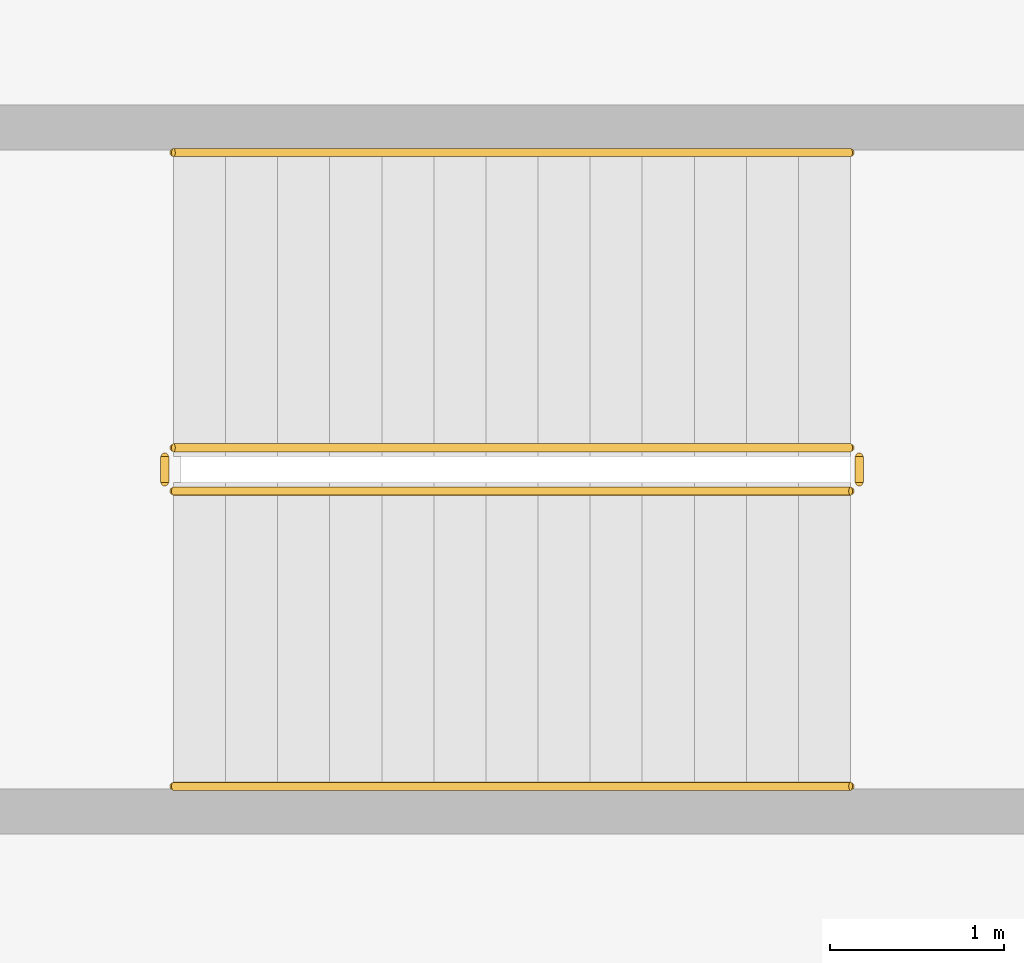
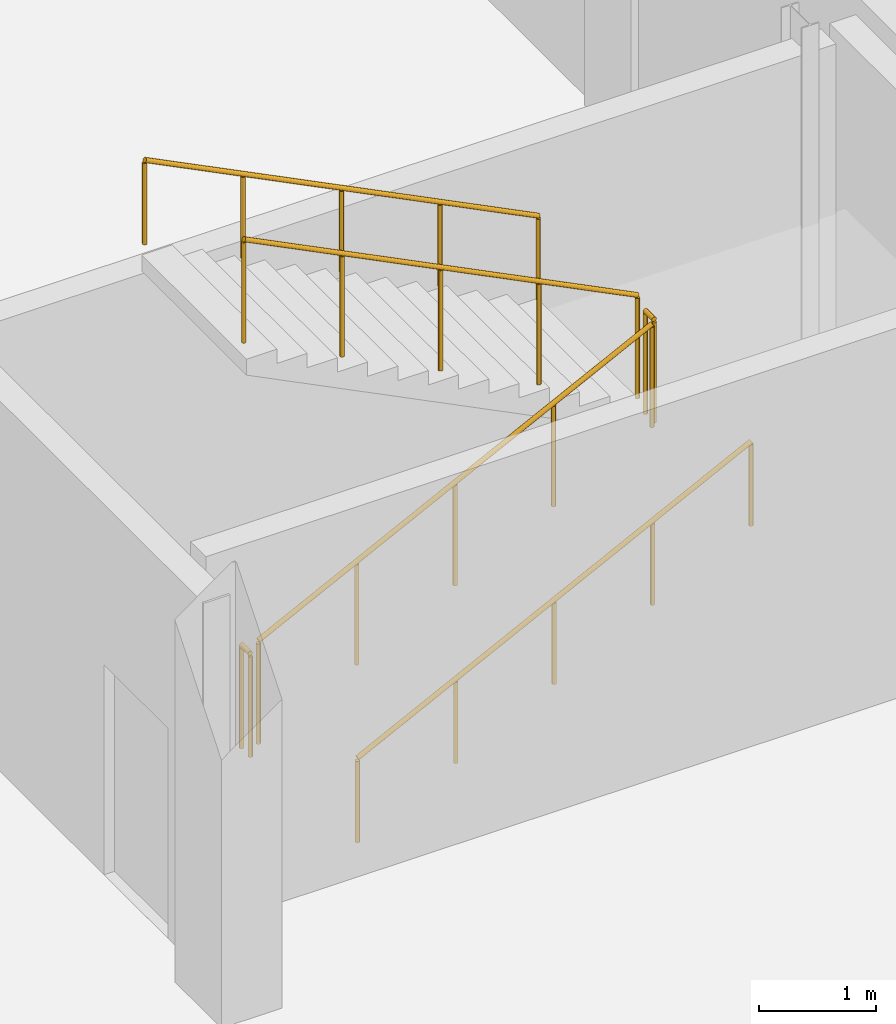
# One storey, part 46 of 47: 6 railings.
"""IFC4 building model written with IfcOpenShell, lengths in metres."""

from ifc_helpers import new_model, si_unit, direction, frame, origin, origin_2d, place, context, subcontext, project, spatial, circle, extrude, material, type_object, element, save


model = new_model("IFC4")

# Units and contexts
model_context = context("Model", 3, precision=1e-05, world=origin(), true_north=direction((0.0, 1.0)))
body_context = subcontext(model_context, "Body", "Model", "MODEL_VIEW")
ifc_project = project(units=[si_unit("LENGTHUNIT", "METRE"), si_unit("AREAUNIT", "SQUARE_METRE"), si_unit("VOLUMEUNIT", "CUBIC_METRE"), si_unit("PLANEANGLEUNIT", "RADIAN"), si_unit("MASSUNIT", "GRAM", prefix="KILO")], contexts=[model_context])

# Site, building, storey
site_placement = place(None, origin())
site = spatial("IfcSite", under=ifc_project, at=site_placement, CompositionType="ELEMENT")
building_placement = place(site_placement, origin())
building = spatial("IfcBuilding", under=site, at=building_placement, Name="Zevrakil Square Congress Hotel", CompositionType="ELEMENT")
storey_placement = place(building_placement, frame((0.0, 0.0, -4.199951171875)))
storey = spatial("IfcBuildingStorey", under=building, at=storey_placement, Name="B1", CompositionType="ELEMENT", Elevation=-4.199951171875)

# Railings
ifc_material_1 = material(Name="Steel S355", Category="steel")
railing_type_1 = type_object("IfcRailingType", Name="RLG-STAIR-GUARD-1100", PredefinedType="BALUSTRADE", material=ifc_material_1)
railing_1_placement = place(storey_placement, frame((110.0, 86.949951171875, 0.14990234375)))
element("IfcRailing", 1, at=railing_1_placement, inside=storey, type_object=railing_type_1, Name="B1 ST06 stair guard 1", PredefinedType="BALUSTRADE", context=body_context, shape_type="SweptSolid", body=[
    extrude(circle(Radius=0.02392578125, at=origin_2d()), frame((0.0, 0.0, 1.076171875), z_axis=(0.894427191, 0.0, 0.4472135955), x_axis=(0.0, 1.0, 0.0)), (0.0, 0.0, 1.0), 4.360107421875),
    extrude(circle(Radius=0.02099609375, at=origin_2d()), origin(), (0.0, 0.0, 1.0), 1.052001953125),
    extrude(circle(Radius=0.02099609375, at=origin_2d()), frame((0.97509765625, 0.0, 0.487548828125)), (0.0, 0.0, 1.0), 1.052001953125),
    extrude(circle(Radius=0.02099609375, at=origin_2d()), frame((1.949951171875, 0.0, 0.97509765625)), (0.0, 0.0, 1.0), 1.052001953125),
    extrude(circle(Radius=0.02099609375, at=origin_2d()), frame((2.9248046875, 0.0, 1.46240234375)), (0.0, 0.0, 1.0), 1.052001953125),
    extrude(circle(Radius=0.02099609375, at=origin_2d()), frame((3.89990234375, 0.0, 1.949951171875)), (0.0, 0.0, 1.0), 1.052001953125),
])
railing_2_placement = place(storey_placement, frame((113.949951171875, 87.0, 2.099853515625)))
element("IfcRailing", 2, at=railing_2_placement, inside=storey, type_object=railing_type_1, Name="B1 ST06 stair guard 2", PredefinedType="BALUSTRADE", context=body_context, shape_type="SweptSolid", body=[
    extrude(circle(Radius=0.02392578125, at=origin_2d()), frame((0.0, 0.0, 1.076171875), z_axis=(0.0, 1.0, 0.0), x_axis=(-1.0, 0.0, 0.0)), (0.0, 0.0, 1.0), 0.14990234375),
    extrude(circle(Radius=0.02099609375, at=origin_2d()), origin(), (0.0, 0.0, 1.0), 1.052001953125),
    extrude(circle(Radius=0.02099609375, at=origin_2d()), frame((0.0, 0.14990234375, 0.0)), (0.0, 0.0, 1.0), 1.052001953125),
])
railing_3_placement = place(storey_placement, frame((113.89990234375, 87.199951171875, 2.25)))
element("IfcRailing", 3, at=railing_3_placement, inside=storey, type_object=railing_type_1, Name="B1 ST06 stair guard 3", PredefinedType="BALUSTRADE", context=body_context, shape_type="SweptSolid", body=[
    extrude(circle(Radius=0.02392578125, at=origin_2d()), frame((0.0, 0.0, 1.076171875), z_axis=(-0.894427191, 0.0, 0.4472135955), x_axis=(0.0, -1.0, 0.0)), (0.0, 0.0, 1.0), 4.360107421875),
    extrude(circle(Radius=0.02099609375, at=origin_2d()), origin(), (0.0, 0.0, 1.0), 1.052001953125),
    extrude(circle(Radius=0.02099609375, at=origin_2d()), frame((-0.97509765625, 0.0, 0.487548828125)), (0.0, 0.0, 1.0), 1.052001953125),
    extrude(circle(Radius=0.02099609375, at=origin_2d()), frame((-1.949951171875, 0.0, 0.97509765625)), (0.0, 0.0, 1.0), 1.052001953125),
    extrude(circle(Radius=0.02099609375, at=origin_2d()), frame((-2.9248046875, 0.0, 1.46240234375)), (0.0, 0.0, 1.0), 1.052001953125),
    extrude(circle(Radius=0.02099609375, at=origin_2d()), frame((-3.89990234375, 0.0, 1.949951171875)), (0.0, 0.0, 1.0), 1.052001953125),
])
railing_4_placement = place(storey_placement, frame((109.949951171875, 87.0, 0.0)))
element("IfcRailing", 4, at=railing_4_placement, inside=storey, type_object=railing_type_1, Name="B1 ST06 stair guard 4", PredefinedType="BALUSTRADE", context=body_context, shape_type="SweptSolid", body=[
    extrude(circle(Radius=0.02392578125, at=origin_2d()), frame((0.0, 0.0, 1.076171875), z_axis=(0.0, 1.0, 0.0), x_axis=(-1.0, 0.0, 0.0)), (0.0, 0.0, 1.0), 0.14990234375),
    extrude(circle(Radius=0.02099609375, at=origin_2d()), origin(), (0.0, 0.0, 1.0), 1.052001953125),
    extrude(circle(Radius=0.02099609375, at=origin_2d()), frame((0.0, 0.14990234375, 0.0)), (0.0, 0.0, 1.0), 1.052001953125),
])
ifc_material_2 = material(Name="Steel S355", Category="steel")
railing_type_2 = type_object("IfcRailingType", Name="RLG-STAIR-HAND-900", PredefinedType="HANDRAIL", material=ifc_material_2)
railing_5_placement = place(storey_placement, frame((110.0, 85.25, 0.14990234375)))
element("IfcRailing", 5, at=railing_5_placement, inside=storey, type_object=railing_type_2, Name="B1 ST06 stair handrail 1", PredefinedType="HANDRAIL", context=body_context, shape_type="SweptSolid", body=[
    extrude(circle(Radius=0.02392578125, at=origin_2d()), frame((0.0, 0.0, 0.8759765625), z_axis=(0.894427191, 0.0, 0.4472135955), x_axis=(0.0, 1.0, 0.0)), (0.0, 0.0, 1.0), 4.360107421875),
    extrude(circle(Radius=0.02099609375, at=origin_2d()), origin(), (0.0, 0.0, 1.0), 0.851806640625),
    extrude(circle(Radius=0.02099609375, at=origin_2d()), frame((0.97509765625, 0.0, 0.487548828125)), (0.0, 0.0, 1.0), 0.851806640625),
    extrude(circle(Radius=0.02099609375, at=origin_2d()), frame((1.949951171875, 0.0, 0.97509765625)), (0.0, 0.0, 1.0), 0.851806640625),
    extrude(circle(Radius=0.02099609375, at=origin_2d()), frame((2.9248046875, 0.0, 1.46240234375)), (0.0, 0.0, 1.0), 0.851806640625),
    extrude(circle(Radius=0.02099609375, at=origin_2d()), frame((3.89990234375, 0.0, 1.949951171875)), (0.0, 0.0, 1.0), 0.851806640625),
])
railing_6_placement = place(storey_placement, frame((113.89990234375, 88.89990234375, 2.25)))
element("IfcRailing", 6, at=railing_6_placement, inside=storey, type_object=railing_type_2, Name="B1 ST06 stair handrail 2", PredefinedType="HANDRAIL", context=body_context, shape_type="SweptSolid", body=[
    extrude(circle(Radius=0.02392578125, at=origin_2d()), frame((0.0, 0.0, 0.8759765625), z_axis=(-0.894427191, 0.0, 0.4472135955), x_axis=(0.0, -1.0, 0.0)), (0.0, 0.0, 1.0), 4.360107421875),
    extrude(circle(Radius=0.02099609375, at=origin_2d()), origin(), (0.0, 0.0, 1.0), 0.851806640625),
    extrude(circle(Radius=0.02099609375, at=origin_2d()), frame((-0.97509765625, 0.0, 0.487548828125)), (0.0, 0.0, 1.0), 0.851806640625),
    extrude(circle(Radius=0.02099609375, at=origin_2d()), frame((-1.949951171875, 0.0, 0.97509765625)), (0.0, 0.0, 1.0), 0.851806640625),
    extrude(circle(Radius=0.02099609375, at=origin_2d()), frame((-2.9248046875, 0.0, 1.46240234375)), (0.0, 0.0, 1.0), 0.851806640625),
    extrude(circle(Radius=0.02099609375, at=origin_2d()), frame((-3.89990234375, 0.0, 1.949951171875)), (0.0, 0.0, 1.0), 0.851806640625),
])

save(model, "model.ifc")
